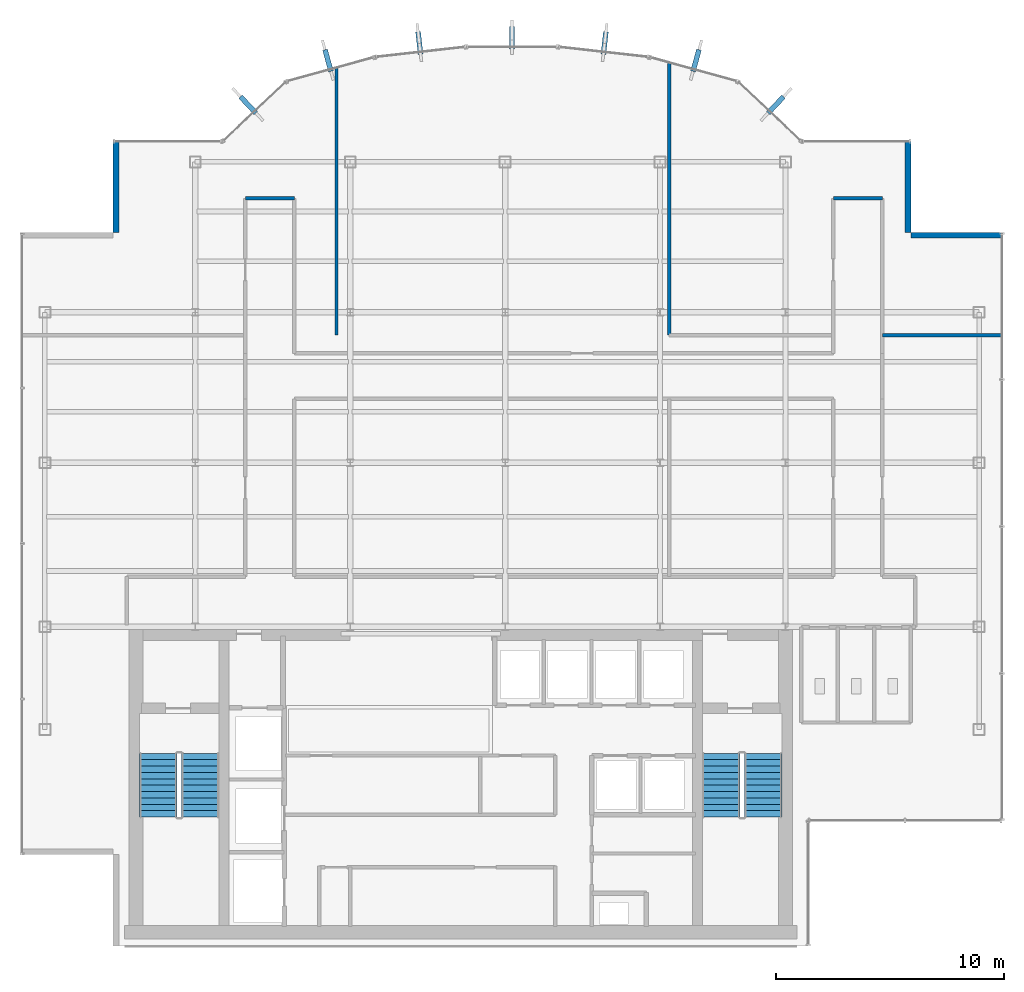
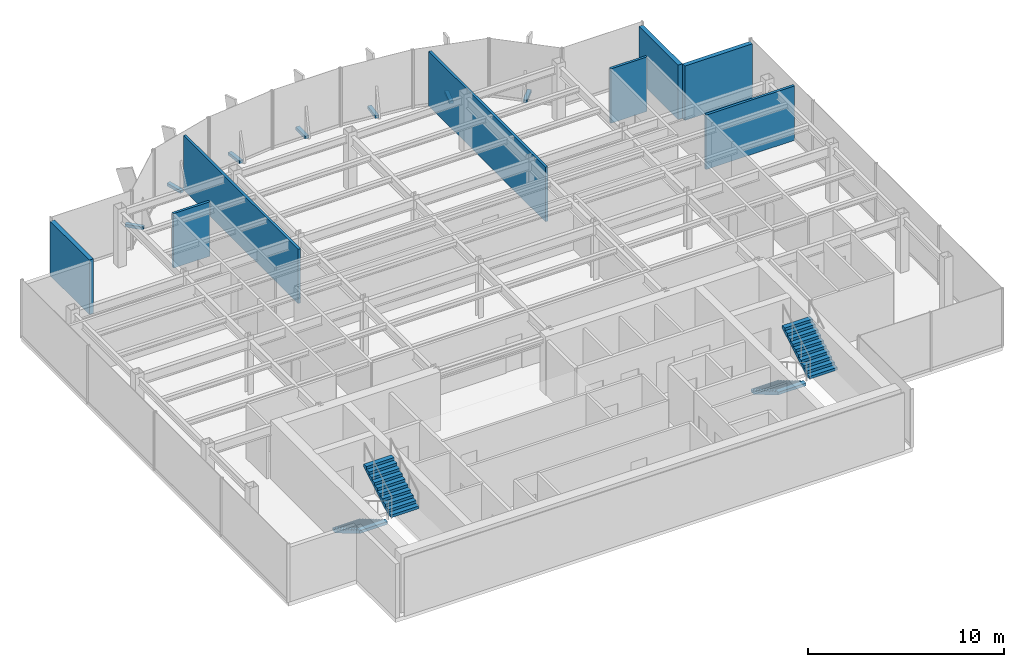
# One storey, part 19 of 22: 8 walls, 7 discrete accessories, 4 stair flights, 2 elements without a shape of their own.
"""IFC4 building model written with IfcOpenShell, lengths in metres."""

import ifcopenshell
import ifcopenshell.guid

model = None  # the IFC model being written
_history = None  # IfcOwnerHistory: only IFC2X3 demands one
_inside = {}  # id of a spatial element -> (the spatial element, [elements in it])
_under = {}  # id of a project, library or spatial element -> (it, [spatial elements below it])
_declared = {}  # id of a project -> (the project, [libraries it declares])
_typed = {}  # id of a type object -> (the type object, [elements of that type])
_made_of = {}  # id of a material, layer set ... -> (it, [elements and type objects made of it])


def new_model(schema):
    """Start an empty IFC model of exactly this schema.

    Asked for "IFC4X3", IfcOpenShell would pick the latest addendum, in which some entities
    have other attributes; the version numbers below select the first issue.
    IFC2X3 requires an IfcOwnerHistory on every rooted entity: one is made here for all.
    """
    global model, _history
    if schema == "IFC4X3":
        model = ifcopenshell.file(schema_version=(4, 3, 0, 0))
    else:
        model = ifcopenshell.file(schema=schema)
    _inside.clear()
    _under.clear()
    _declared.clear()
    _typed.clear()
    _made_of.clear()
    _history = None
    if model.schema == "IFC2X3":
        org = make("IfcOrganization", Name="unknown")
        user = make(
            "IfcPersonAndOrganization",
            ThePerson=make("IfcPerson", FamilyName="unknown"),
            TheOrganization=org,
        )
        app = make(
            "IfcApplication",
            ApplicationDeveloper=org,
            Version="unknown",
            ApplicationFullName="unknown",
            ApplicationIdentifier="unknown",
        )
        _history = make(
            "IfcOwnerHistory",
            OwningUser=user,
            OwningApplication=app,
            ChangeAction="ADDED",
            CreationDate=0,
        )
    return model


def make(cls, **values):
    """One entity of the class cls with the attributes given. An attribute that is None is left unset."""
    return model.create_entity(
        cls, **{name: value for name, value in values.items() if value is not None}
    )


def rooted(cls, **values):
    """An entity with a GlobalId (a new one), such as an element, a storey or a relation."""
    return make(cls, GlobalId=ifcopenshell.guid.new(), OwnerHistory=_history, **values)


def si_unit(unit_type, name, prefix=None):
    """IfcSIUnit, for example si_unit("LENGTHUNIT", "METRE", prefix="MILLI")."""
    return make("IfcSIUnit", UnitType=unit_type, Prefix=prefix, Name=name)


def derived_unit(unit_type, elements):
    """IfcDerivedUnit: a product of units, each with its exponent."""
    return make(
        "IfcDerivedUnit",
        Elements=[
            make("IfcDerivedUnitElement", Unit=unit, Exponent=power)
            for unit, power in elements
        ],
        UnitType=unit_type,
    )


def assignment(units):
    """IfcUnitAssignment: the units of a project."""
    return None if units is None else make("IfcUnitAssignment", Units=units)


def point(xyz):
    """IfcCartesianPoint."""
    return None if xyz is None else make("IfcCartesianPoint", Coordinates=xyz)


def direction(xyz):
    """IfcDirection."""
    return None if xyz is None else make("IfcDirection", DirectionRatios=xyz)


def frame(location, z_axis=None, x_axis=None):
    """IfcAxis2Placement3D, a coordinate frame: its origin and axes. An axis left out is left unset."""
    return make(
        "IfcAxis2Placement3D",
        Location=point(location),
        Axis=direction(z_axis),
        RefDirection=direction(x_axis),
    )


def frame_2d(location, x_axis=None):
    """IfcAxis2Placement2D, a coordinate frame in the plane: its origin and x axis."""
    return make(
        "IfcAxis2Placement2D", Location=point(location), RefDirection=direction(x_axis)
    )


def origin():
    """The frame at (0, 0, 0) with its axes left unset."""
    return frame((0.0, 0.0, 0.0))


def origin_2d():
    """The frame at (0, 0) in the plane with its x axis left unset."""
    return frame_2d((0.0, 0.0))


def place(relative_to, where):
    """IfcLocalPlacement: puts the frame where relative to a parent placement (None: the world)."""
    return make(
        "IfcLocalPlacement", PlacementRelTo=relative_to, RelativePlacement=where
    )


def context(
    kind, dimensions, precision=None, world=None, true_north=None, identifier=None
):
    """IfcGeometricRepresentationContext, for example the 3D "Model" context."""
    return make(
        "IfcGeometricRepresentationContext",
        ContextIdentifier=identifier,
        ContextType=kind,
        CoordinateSpaceDimension=dimensions,
        Precision=precision,
        WorldCoordinateSystem=world,
        TrueNorth=true_north,
    )


def subcontext(parent, identifier, kind, view, scale=None):
    """IfcGeometricRepresentationSubContext, for example "Body" below "Model"."""
    return make(
        "IfcGeometricRepresentationSubContext",
        ContextIdentifier=identifier,
        ContextType=kind,
        ParentContext=parent,
        TargetScale=scale,
        TargetView=view,
    )


def project(units=None, contexts=None):
    """IfcProject with its units and contexts."""
    return rooted(
        "IfcProject",
        Name="project",
        RepresentationContexts=contexts,
        UnitsInContext=assignment(units),
    )


def spatial(cls, under=None, at=None, **own):
    """A site, building, storey or space (cls), placed at a placement, below another one or the project."""
    s = rooted(cls, ObjectPlacement=at, **own)
    if under is not None:
        _under.setdefault(under.id(), (under, []))[1].append(s)
    return s


def polyline(points):
    """IfcPolyline through the points."""
    return make("IfcPolyline", Points=[point(p) for p in points])


def profile(cls, at=None, kind="AREA", **sizes):
    """A parametric profile (cls). Its sizes go by their IFC names, for example OverallWidth=200.0."""
    return make(cls, ProfileType=kind, Position=at, **sizes)


def rectangle(**sizes):
    """IfcRectangleProfileDef."""
    return profile("IfcRectangleProfileDef", **sizes)


def outline(outer, holes=None, kind="AREA"):
    """IfcArbitraryClosedProfileDef: a profile drawn as a closed curve; with holes, ...WithVoids."""
    if holes is None:
        return make("IfcArbitraryClosedProfileDef", ProfileType=kind, OuterCurve=outer)
    return make(
        "IfcArbitraryProfileDefWithVoids",
        ProfileType=kind,
        OuterCurve=outer,
        InnerCurves=holes,
    )


def extrude(swept, where, along, depth):
    """IfcExtrudedAreaSolid: the profile swept, set in the frame where, extruded along a direction by depth."""
    return make(
        "IfcExtrudedAreaSolid",
        SweptArea=swept,
        Position=where,
        ExtrudedDirection=direction(along),
        Depth=depth,
    )


def shape(context_of_items, identifier, shape_type, items):
    """IfcShapeRepresentation: the items that make up one representation, for example the "Body"."""
    return make(
        "IfcShapeRepresentation",
        ContextOfItems=context_of_items,
        RepresentationIdentifier=identifier,
        RepresentationType=shape_type,
        Items=items,
    )


def source(mapping_origin, context_of_items, identifier, shape_type, items):
    """IfcRepresentationMap: a shape defined once, which mapped items show again and again."""
    return make(
        "IfcRepresentationMap",
        MappingOrigin=mapping_origin,
        MappedRepresentation=shape(context_of_items, identifier, shape_type, items),
    )


def transform(
    local_origin,
    x_axis=None,
    y_axis=None,
    z_axis=None,
    scale=None,
    scale2=None,
    scale3=None,
    uniform=True,
):
    """IfcCartesianTransformationOperator3D, or its non-uniform kind. x_axis, y_axis, z_axis: its Axis1, 2, 3."""
    if uniform:
        return make(
            "IfcCartesianTransformationOperator3D",
            Axis1=direction(x_axis),
            Axis2=direction(y_axis),
            LocalOrigin=point(local_origin),
            Scale=scale,
            Axis3=direction(z_axis),
        )
    return make(
        "IfcCartesianTransformationOperator3DnonUniform",
        Axis1=direction(x_axis),
        Axis2=direction(y_axis),
        LocalOrigin=point(local_origin),
        Scale=scale,
        Axis3=direction(z_axis),
        Scale2=scale2,
        Scale3=scale3,
    )


def mapped(mapping_source, mapping_target):
    """IfcMappedItem: shows the shape of a source again, moved by a transform."""
    return make(
        "IfcMappedItem", MappingSource=mapping_source, MappingTarget=mapping_target
    )


def material(Name=None, Category=None):
    """IfcMaterial."""
    return make("IfcMaterial", Name=Name, Category=Category)


def layer(
    of_material, thickness, ventilated=None, Name=None, Category=None, Priority=None
):
    """IfcMaterialLayer: one layer of a wall or slab, of a material (None: an air gap)."""
    return make(
        "IfcMaterialLayer",
        Material=of_material,
        LayerThickness=thickness,
        IsVentilated=ventilated,
        Name=Name,
        Category=Category,
        Priority=Priority,
    )


def layer_set(layers, Name=None):
    """IfcMaterialLayerSet."""
    return make("IfcMaterialLayerSet", MaterialLayers=layers, LayerSetName=Name)


def made_of(thing, what):
    """Note that an element or type object is made of a material, layer set ...; save() writes the relation."""
    if what is not None:
        _made_of.setdefault(what.id(), (what, []))[1].append(thing)
    return thing


def type_object(cls, material=None, **own):
    """A type object (cls), such as IfcWallType, which elements share."""
    return made_of(rooted(cls, **own), material)


def element(
    cls,
    number,
    at=None,
    inside=None,
    cuts=None,
    type_object=None,
    material=None,
    context=None,
    identifier="Body",
    shape_type=None,
    held_by="IfcProductDefinitionShape",
    body=None,
    shapes=None,
    **own,
):
    """One element of the class cls, such as IfcWall. Its Tag is "e" and its number.

    at: its placement. inside: the storey or other place that contains it. cuts: it is an
    opening in that element (IfcRelVoidsElement). A single representation is given by context,
    identifier, shape_type and body (its items); several are given by shapes. held_by: the class
    of the entity that holds the representations. save() writes the other relations.
    """
    e = rooted(cls, Tag="e%d" % number, ObjectPlacement=at, **own)
    if body is not None:
        shapes = [shape(context, identifier, shape_type, body)]
    if shapes is not None:
        e.Representation = make(held_by, Representations=shapes)
    if inside is not None:
        _inside.setdefault(inside.id(), (inside, []))[1].append(e)
    if cuts is not None:
        rooted(
            "IfcRelVoidsElement", RelatingBuildingElement=cuts, RelatedOpeningElement=e
        )
    if type_object is not None:
        _typed.setdefault(type_object.id(), (type_object, []))[1].append(e)
    return made_of(e, material)


def aggregate(whole, parts):
    """IfcRelAggregates: a whole, such as a stair, and the parts it consists of."""
    return rooted("IfcRelAggregates", RelatingObject=whole, RelatedObjects=parts)


def save(model, path):
    """Write the relations noted so far, then the file.

    IfcRelAggregates (storeys below a building ...), IfcRelContainedInSpatialStructure (elements
    in a storey), IfcRelDefinesByType, IfcRelAssociatesMaterial and IfcRelDeclares: one each for
    every whole, place, type object, material and project.
    """
    for whole, parts in _under.values():
        aggregate(whole, parts)
    for where, things in _inside.values():
        rooted(
            "IfcRelContainedInSpatialStructure",
            RelatedElements=things,
            RelatingStructure=where,
        )
    for kind, things in _typed.values():
        rooted("IfcRelDefinesByType", RelatedObjects=things, RelatingType=kind)
    for what, things in _made_of.values():
        rooted("IfcRelAssociatesMaterial", RelatedObjects=things, RelatingMaterial=what)
    for by, libraries in _declared.values():
        rooted("IfcRelDeclares", RelatingContext=by, RelatedDefinitions=libraries)
    model.write(path)


model = new_model("IFC4")

# Units and contexts
model_context = context("Model", 3, precision=1e-05, world=origin(), true_north=direction((0.0, 1.0)))
body_context = subcontext(model_context, "Body", "Model", "MODEL_VIEW")
ifc_project = project(units=[si_unit("LENGTHUNIT", "METRE"), si_unit("AREAUNIT", "SQUARE_METRE"), si_unit("VOLUMEUNIT", "CUBIC_METRE"), si_unit("PLANEANGLEUNIT", "RADIAN"), si_unit("MASSUNIT", "GRAM", prefix="KILO"), derived_unit("THERMALTRANSMITTANCEUNIT", [(si_unit("POWERUNIT", "WATT"), 1), (si_unit("LENGTHUNIT", "METRE"), -2), (si_unit("THERMODYNAMICTEMPERATUREUNIT", "KELVIN"), -1)])], contexts=[model_context])

# Site, building, storey
site_placement = place(None, origin())
site = spatial("IfcSite", under=ifc_project, at=site_placement, CompositionType="ELEMENT")
building_placement = place(site_placement, origin())
building = spatial("IfcBuilding", under=site, at=building_placement, Name="Skarnbrae Concourse Arena and Tower", CompositionType="ELEMENT")
storey_placement = place(building_placement, frame((0.0, 0.0, 244.199951171875)))
storey = spatial("IfcBuildingStorey", under=building, at=storey_placement, Name="L63", CompositionType="ELEMENT", Elevation=244.199951171875)

# Walls
ifc_material_1 = material(Name="Precast concrete 40 MPa (C40/50)", Category="concrete")
ifc_layer_1 = layer(ifc_material_1, 0.25)
ifc_layer_set_1 = layer_set([ifc_layer_1], Name="Precast concrete 40 MPa (C40/50)")
wall_type_1 = type_object("IfcWallType", Name="WALL-EXT-SPANDREL-250", PredefinedType="STANDARD", material=ifc_layer_set_1)
shared_shape_1 = source(origin(), body_context, "Body", "SweptSolid", [
    extrude(rectangle(XDim=4.0, YDim=0.25, at=frame_2d((2.0, 0.0))), origin(), (0.0, 0.0, 1.0), 3.400146484375),
])
for number, where, z_axis, x_axis, name in (
    (1, (43.0, 31.175048828125, 0.0), (0.0, 0.0, 1.0), (-1.0, 0.0, 0.0), "L63 Notched corner insulated return wall 05"),
    (2, (38.875, 31.300048828125, 0.0), (0.0, 0.0, 1.0), (0.0, 1.0, 0.0), "L63 Notched corner insulated return wall 06"),
    (3, (4.125, 35.300048828125, 0.0), (0.0, 0.0, 1.0), (0.0, -1.0, 0.0), "L63 Notched corner insulated return wall 16"),
):
    element("IfcWall", number, at=place(storey_placement, frame(where, z_axis=z_axis, x_axis=x_axis)), inside=storey, type_object=wall_type_1, Name=name, PredefinedType="STANDARD", context=body_context, shape_type="MappedRepresentation", body=[
        mapped(shared_shape_1, transform((0.0, 0.0, 0.0))),
    ])
ifc_material_2 = material(Name="Gypsum board on cold-formed steel studs", Category="steel")
ifc_layer_2 = layer(ifc_material_2, 0.14990234375)
ifc_layer_set_2 = layer_set([ifc_layer_2], Name="Gypsum board on cold-formed steel studs")
wall_type_2 = type_object("IfcWallType", Name="WALL-PART-150-1HR", PredefinedType="PARTITIONING", material=ifc_layer_set_2)
shared_shape_2 = source(origin(), body_context, "Body", "SweptSolid", [
    extrude(rectangle(XDim=2.14990234375, YDim=0.14990234375, at=frame_2d((1.074951171875, 0.0))), origin(), (0.0, 0.0, 1.0), 3.400146484375),
])
for number, where, z_axis, x_axis, name in (
    (4, (9.800048828125, 32.800048828125, 0.0), (0.0, 0.0, 1.0), (1.0, 0.0, 0.0), "L63 Interior partition wall W-L63-COR-06"),
    (5, (35.60009765625, 32.800048828125, 0.0), (0.0, 0.0, 1.0), (1.0, 0.0, 0.0), "L63 Interior partition wall W-L63-COR-10"),
):
    element("IfcWall", number, at=place(storey_placement, frame(where, z_axis=z_axis, x_axis=x_axis)), inside=storey, type_object=wall_type_2, Name=name, PredefinedType="PARTITIONING", context=body_context, shape_type="MappedRepresentation", body=[
        mapped(shared_shape_2, transform((0.0, 0.0, 0.0))),
    ])
ifc_layer_3 = layer(ifc_material_2, 0.14990234375)
ifc_layer_set_3 = layer_set([ifc_layer_3], Name="Gypsum board on cold-formed steel studs")
wall_type_3 = type_object("IfcWallType", Name="WALL-PART-150", PredefinedType="PARTITIONING", material=ifc_layer_set_3)
shared_shape_3 = source(origin(), body_context, "Body", "SweptSolid", [
    extrude(rectangle(XDim=11.71484375, YDim=0.14990234375, at=frame_2d((5.857421875, 0.0))), origin(), (0.0, 0.0, 1.0), 3.400146484375),
])
wall_1_placement = place(storey_placement, frame((13.800048828125, 38.514892578125, 0.0), z_axis=(0.0, 0.0, 1.0), x_axis=(0.0, -1.0, 0.0)))
element("IfcWall", 6, at=wall_1_placement, inside=storey, type_object=wall_type_3, Name="L63 Interior partition wall W-L63-DEM-22", PredefinedType="PARTITIONING", context=body_context, shape_type="MappedRepresentation", body=[
    mapped(shared_shape_3, transform((0.0, 0.0, 0.0))),
])
shared_shape_4 = source(origin(), body_context, "Body", "SweptSolid", [
    extrude(rectangle(XDim=11.935302734375, YDim=0.14990234375, at=frame_2d((5.9677734375, 0.0))), origin(), (0.0, 0.0, 1.0), 3.400146484375),
])
wall_2_placement = place(storey_placement, frame((28.39990234375, 38.7353515625, 0.0), z_axis=(0.0, 0.0, 1.0), x_axis=(0.0, -1.0, 0.0)))
element("IfcWall", 7, at=wall_2_placement, inside=storey, type_object=wall_type_3, Name="L63 Interior partition wall W-L63-DEM-24", PredefinedType="PARTITIONING", context=body_context, shape_type="MappedRepresentation", body=[
    mapped(shared_shape_4, transform((0.0, 0.0, 0.0))),
])
shared_shape_5 = source(origin(), body_context, "Body", "SweptSolid", [
    extrude(rectangle(XDim=5.22998046875, YDim=0.14990234375, at=frame_2d((2.614990234375, 0.0))), origin(), (0.0, 0.0, 1.0), 3.400146484375),
])
wall_3_placement = place(storey_placement, frame((42.97998046875, 26.800048828125, 0.0), z_axis=(0.0, 0.0, 1.0), x_axis=(-1.0, 0.0, 0.0)))
element("IfcWall", 8, at=wall_3_placement, inside=storey, type_object=wall_type_3, Name="L63 Interior partition wall W-L63-DEM-26", PredefinedType="PARTITIONING", context=body_context, shape_type="MappedRepresentation", body=[
    mapped(shared_shape_5, transform((0.0, 0.0, 0.0))),
])

# Stair, stair flights
ifc_material_3 = material(Name="Concrete 40 MPa (C40/50)", Category="concrete")
stair_type = type_object("IfcStairType", Name="STAIR-DOGLEG-1650", PredefinedType="HALF_TURN_STAIR", material=ifc_material_3)
stair_1_placement = place(storey_placement, origin())
stair_1 = element("IfcStair", 9, at=stair_1_placement, inside=storey, type_object=stair_type, Name="L63 Protected Exit Stair ST-1", PredefinedType="HALF_TURN_STAIR")
stair_flight_type = type_object("IfcStairFlightType", Name="FLIGHT-STRAIGHT-1650", PredefinedType="STRAIGHT", material=ifc_material_3)
shared_shape_6 = source(origin(), body_context, "Body", "SweptSolid", [
    extrude(outline(polyline([(0.0, 0.0), (0.0, 0.166015625), (0.280029296875, 0.166015625), (0.280029296875, 0.331787109375), (0.56005859375, 0.331787109375), (0.56005859375, 0.497802734375), (0.840087890625, 0.497802734375), (0.840087890625, 0.66357421875), (1.1201171875, 0.66357421875), (1.1201171875, 0.82958984375), (1.39990234375, 0.82958984375), (1.39990234375, 0.995361328125), (1.679931640625, 0.995361328125), (1.679931640625, 1.161376953125), (1.9599609375, 1.161376953125), (1.9599609375, 1.327392578125), (2.239990234375, 1.327392578125), (2.239990234375, 1.4931640625), (2.52001953125, 1.4931640625), (2.52001953125, 1.6591796875), (2.800048828125, 1.6591796875), (2.800048828125, 1.824951171875), (2.800048828125, 1.48486328125), (0.2939453125, 0.0), (0.0, 0.0)])), frame((0.0, 0.824951171875, 0.0), z_axis=(0.0, -1.0, 0.0), x_axis=(1.0, 0.0, 0.0)), (0.0, 0.0, 1.0), 1.64990234375),
])
stair_flight_1_placement = place(storey_placement, frame((5.97509765625, 8.449951171875, 0.0), z_axis=(0.0, 0.0, 1.0), x_axis=(0.0, -1.0, 0.0)))
stair_flight_1 = element("IfcStairFlight", 10, at=stair_flight_1_placement, type_object=stair_flight_type, Name="ST-1 flight 1", NumberOfRisers=11, NumberOfTreads=10, PredefinedType="STRAIGHT", RiserHeight=0.165909091, TreadLength=0.28, context=body_context, shape_type="MappedRepresentation", body=[
    mapped(shared_shape_6, transform((0.0, 0.0, 0.0))),
])
stair_flight_2_placement = place(storey_placement, frame((7.824951171875, 5.64990234375, 1.824951171875), z_axis=(0.0, 0.0, 1.0), x_axis=(0.0, 1.0, 0.0)))
stair_flight_2 = element("IfcStairFlight", 11, at=stair_flight_2_placement, type_object=stair_flight_type, Name="ST-1 flight 2", NumberOfRisers=11, NumberOfTreads=10, PredefinedType="STRAIGHT", RiserHeight=0.165909091, TreadLength=0.28, context=body_context, shape_type="MappedRepresentation", body=[
    mapped(shared_shape_6, transform((0.0, 0.0, 0.0))),
])
aggregate(stair_1, [stair_flight_1, stair_flight_2])

stair_2_placement = place(storey_placement, origin())
stair_2 = element("IfcStair", 12, at=stair_2_placement, inside=storey, type_object=stair_type, Name="L63 Protected Exit Stair ST-2", PredefinedType="HALF_TURN_STAIR")
stair_flight_3_placement = place(storey_placement, frame((30.675048828125, 8.449951171875, 0.0), z_axis=(0.0, 0.0, 1.0), x_axis=(0.0, -1.0, 0.0)))
stair_flight_3 = element("IfcStairFlight", 13, at=stair_flight_3_placement, type_object=stair_flight_type, Name="ST-2 flight 1", NumberOfRisers=11, NumberOfTreads=10, PredefinedType="STRAIGHT", RiserHeight=0.165909091, TreadLength=0.28, context=body_context, shape_type="MappedRepresentation", body=[
    mapped(shared_shape_6, transform((0.0, 0.0, 0.0))),
])
stair_flight_4_placement = place(storey_placement, frame((32.52490234375, 5.64990234375, 1.824951171875), z_axis=(0.0, 0.0, 1.0), x_axis=(0.0, 1.0, 0.0)))
stair_flight_4 = element("IfcStairFlight", 14, at=stair_flight_4_placement, type_object=stair_flight_type, Name="ST-2 flight 2", NumberOfRisers=11, NumberOfTreads=10, PredefinedType="STRAIGHT", RiserHeight=0.165909091, TreadLength=0.28, context=body_context, shape_type="MappedRepresentation", body=[
    mapped(shared_shape_6, transform((0.0, 0.0, 0.0))),
])
aggregate(stair_2, [stair_flight_3, stair_flight_4])

# Discrete accessories
ifc_material_4 = material(Name="Bronze anodised aluminium 6063-T6", Category="aluminium")
discrete_accessory_type = type_object("IfcDiscreteAccessoryType", Name="ACC-FIN-BRACKET", PredefinedType="BRACKET", material=ifc_material_4)
shared_shape_7 = source(origin(), body_context, "Body", "SweptSolid", [
    extrude(rectangle(XDim=0.219970703125, YDim=0.97998046875, at=origin_2d()), origin(), (0.0, 0.0, 1.0), 0.179931640625),
])
for number, where, z_axis, x_axis, name in (
    (15, (33.0791015625, 36.904541015625, -0.02978515625), (0.0, 0.0, 1.0), (0.728131751529, -0.685437198009, 0.0), "L63 Bronze fin foot support bracket 08"),
    (16, (29.573974609375, 38.847412109375, -0.02978515625), (0.0, 0.0, 1.0), (0.964058316208, -0.265690728011, 0.0), "L63 Bronze fin foot support bracket 09"),
    (17, (25.566162109375, 39.619384765625, -0.02978515625), (0.0, 0.0, 1.0), (0.993769864509, -0.111451587667, 0.0), "L63 Bronze fin foot support bracket 10"),
    (18, (21.5, 39.8466796875, -0.02978515625), (0.0, 0.0, 1.0), (1.0, 0.0, 0.0), "L63 Bronze fin foot support bracket 11"),
    (19, (17.433837890625, 39.619384765625, -0.02978515625), (0.0, 0.0, 1.0), (0.993769864509, 0.111451587667, 0.0), "L63 Bronze fin foot support bracket 12"),
    (20, (13.426025390625, 38.847412109375, -0.02978515625), (0.0, 0.0, 1.0), (0.964058316208, 0.265690728011, 0.0), "L63 Bronze fin foot support bracket 13"),
    (21, (9.9208984375, 36.904541015625, -0.02978515625), (0.0, 0.0, 1.0), (0.728131751529, 0.685437198009, 0.0), "L63 Bronze fin foot support bracket 14"),
):
    element("IfcDiscreteAccessory", number, at=place(storey_placement, frame(where, z_axis=z_axis, x_axis=x_axis)), inside=storey, type_object=discrete_accessory_type, Name=name, PredefinedType="BRACKET", context=body_context, shape_type="MappedRepresentation", body=[
        mapped(shared_shape_7, transform((0.0, 0.0, 0.0))),
    ])

save(model, "model.ifc")
